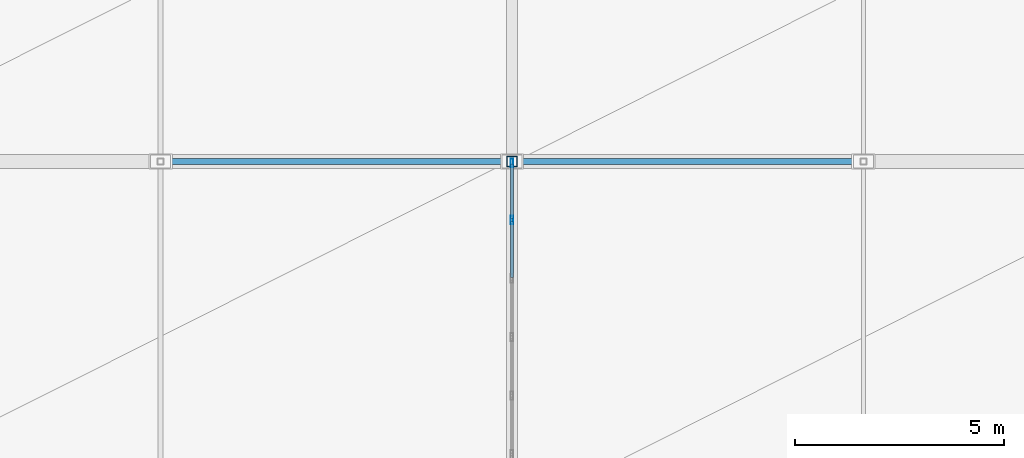
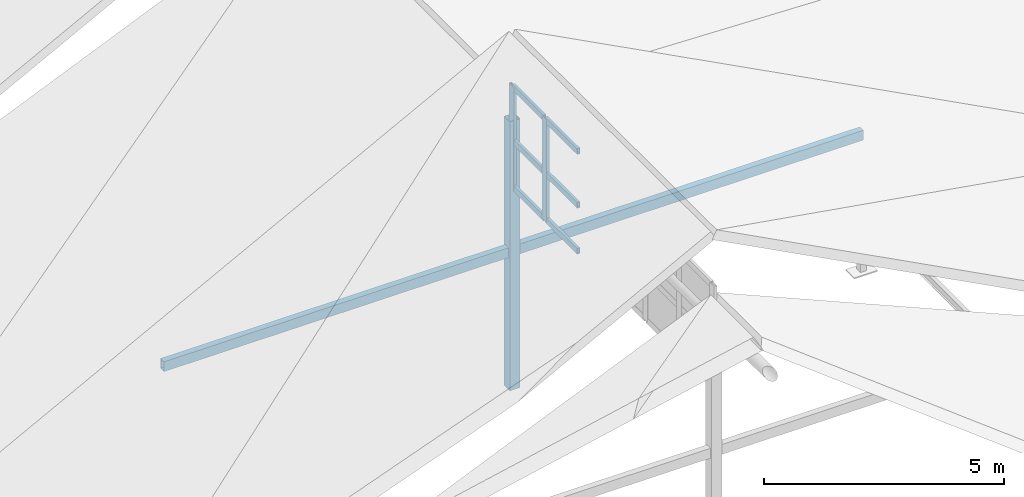
# One storey, part 27 of 76: 10 members, 1 element without a shape of its own.
"""IFC4 building model written with IfcOpenShell, lengths in metres."""

from ifc_helpers import new_model, si_unit, direction, frame, origin, origin_2d, place, context, subcontext, project, spatial, hollow_rectangle, extrude, material, layer, layer_set, material_profile, profile_set, type_object, element, aggregate, save


model = new_model("IFC4")

# Units and contexts
model_context = context("Model", 3, precision=1e-05, world=origin(), true_north=direction((0.0, 1.0)))
body_context = subcontext(model_context, "Body", "Model", "MODEL_VIEW")
ifc_project = project(units=[si_unit("LENGTHUNIT", "METRE"), si_unit("AREAUNIT", "SQUARE_METRE"), si_unit("VOLUMEUNIT", "CUBIC_METRE"), si_unit("PLANEANGLEUNIT", "RADIAN"), si_unit("MASSUNIT", "GRAM", prefix="KILO")], contexts=[model_context])

# Site, building, storey
site_placement = place(None, origin())
site = spatial("IfcSite", under=ifc_project, at=site_placement, CompositionType="ELEMENT")
building_placement = place(site_placement, origin())
building = spatial("IfcBuilding", under=site, at=building_placement, Name="Krzemoval Escarpment Law Courts", CompositionType="ELEMENT")
storey_placement = place(building_placement, frame((0.0, 0.0, 20.39990234375)))
storey = spatial("IfcBuildingStorey", under=building, at=storey_placement, Name="L04", CompositionType="ELEMENT", Elevation=20.39990234375)

# Curtain wall, members
ifc_material_1 = material(Name="Aluminium 6063-T6", Category="aluminium")
ifc_layer = layer(ifc_material_1, 0.199951171875)
ifc_layer_set = layer_set([ifc_layer], Name="Aluminium 6063-T6")
curtain_wall_type = type_object("IfcCurtainWallType", Name="CW-CLER-2800", PredefinedType="USERDEFINED", material=ifc_layer_set)
curtain_wall_placement = place(storey_placement, origin())
curtain_wall = element("IfcCurtainWall", 1, at=curtain_wall_placement, inside=storey, type_object=curtain_wall_type, Name="Clerestory Curtain Wall CW-CLER-V4-02", ObjectType="UNITISED_CURTAIN_WALL", PredefinedType="USERDEFINED")
ifc_material_2 = material(Name="Aluminium 6063-T6", Category="aluminium")
ifc_material_profile_1 = material_profile(ifc_material_2, hollow_rectangle(XDim=0.06494140625, YDim=0.199951171875, WallThickness=0.00439453125, at=origin_2d()), Name="ALU M65x200")
ifc_profile_set_1 = profile_set([ifc_material_profile_1], Name="Aluminium 6063-T6")
member_type_1 = type_object("IfcMemberType", Name="CWM-65x200", PredefinedType="MULLION", material=ifc_profile_set_1)
member_1_placement = place(storey_placement, frame((25.199951171875, 64.60009765625, 4.800048828125), z_axis=(0.0, 0.0, 1.0), x_axis=(-1.0, 0.0, 0.0)))
member_1 = element("IfcMember", 2, at=member_1_placement, type_object=member_type_1, Name="CW-CLER-V4-02 mullion 6", PredefinedType="MULLION", context=body_context, shape_type="SweptSolid", body=[
    extrude(hollow_rectangle(XDim=0.06494140625, YDim=0.199951171875, WallThickness=0.00439453125, at=origin_2d()), origin(), (0.0, 0.0, 1.0), 2.60009765625),
])
member_2_placement = place(storey_placement, frame((25.199951171875, 65.967529296875, 4.800048828125), z_axis=(0.0, 0.0, 1.0), x_axis=(-1.0, 0.0, 0.0)))
member_2 = element("IfcMember", 3, at=member_2_placement, type_object=member_type_1, Name="CW-CLER-V4-02 mullion 7", PredefinedType="MULLION", context=body_context, shape_type="SweptSolid", body=[
    extrude(hollow_rectangle(XDim=0.06494140625, YDim=0.199951171875, WallThickness=0.00439453125, at=origin_2d()), origin(), (0.0, 0.0, 1.0), 2.60009765625),
])
ifc_material_3 = material(Name="Aluminium 6063-T6", Category="aluminium")
ifc_material_profile_2 = material_profile(ifc_material_3, hollow_rectangle(XDim=0.06494140625, YDim=0.14990234375, WallThickness=0.00439453125, at=origin_2d()), Name="ALU T65x150")
ifc_profile_set_2 = profile_set([ifc_material_profile_2], Name="Aluminium 6063-T6")
member_type_2 = type_object("IfcMemberType", Name="CWT-65x150", PredefinedType="USERDEFINED", material=ifc_profile_set_2)
member_3_placement = place(storey_placement, frame((25.199951171875, 63.232421875, 4.83251953125), z_axis=(0.0, 1.0, 0.0), x_axis=(-1.0, 0.0, 0.0)))
member_3 = element("IfcMember", 4, at=member_3_placement, type_object=member_type_2, Name="CW-CLER-V4-02 transom 5.1", ObjectType="TRANSOM", PredefinedType="USERDEFINED", context=body_context, shape_type="SweptSolid", body=[
    extrude(hollow_rectangle(XDim=0.06494140625, YDim=0.14990234375, WallThickness=0.00439453125, at=origin_2d()), origin(), (0.0, 0.0, 1.0), 1.3349609375),
])
member_4_placement = place(storey_placement, frame((25.199951171875, 63.232421875, 6.0), z_axis=(0.0, 1.0, 0.0), x_axis=(-1.0, 0.0, 0.0)))
member_4 = element("IfcMember", 5, at=member_4_placement, type_object=member_type_2, Name="CW-CLER-V4-02 transom 5.2", ObjectType="TRANSOM", PredefinedType="USERDEFINED", context=body_context, shape_type="SweptSolid", body=[
    extrude(hollow_rectangle(XDim=0.06494140625, YDim=0.14990234375, WallThickness=0.00439453125, at=origin_2d()), origin(), (0.0, 0.0, 1.0), 1.3349609375),
])
member_5_placement = place(storey_placement, frame((25.199951171875, 63.232421875, 7.36767578125), z_axis=(0.0, 1.0, 0.0), x_axis=(-1.0, 0.0, 0.0)))
member_5 = element("IfcMember", 6, at=member_5_placement, type_object=member_type_2, Name="CW-CLER-V4-02 transom 5.3", ObjectType="TRANSOM", PredefinedType="USERDEFINED", context=body_context, shape_type="SweptSolid", body=[
    extrude(hollow_rectangle(XDim=0.06494140625, YDim=0.14990234375, WallThickness=0.00439453125, at=origin_2d()), origin(), (0.0, 0.0, 1.0), 1.3349609375),
])
member_6_placement = place(storey_placement, frame((25.199951171875, 64.632568359375, 4.83251953125), z_axis=(0.0, 1.0, 0.0), x_axis=(-1.0, 0.0, 0.0)))
member_6 = element("IfcMember", 7, at=member_6_placement, type_object=member_type_2, Name="CW-CLER-V4-02 transom 6.1", ObjectType="TRANSOM", PredefinedType="USERDEFINED", context=body_context, shape_type="SweptSolid", body=[
    extrude(hollow_rectangle(XDim=0.06494140625, YDim=0.14990234375, WallThickness=0.00439453125, at=origin_2d()), origin(), (0.0, 0.0, 1.0), 1.302490234375),
])
member_7_placement = place(storey_placement, frame((25.199951171875, 64.632568359375, 6.0), z_axis=(0.0, 1.0, 0.0), x_axis=(-1.0, 0.0, 0.0)))
member_7 = element("IfcMember", 8, at=member_7_placement, type_object=member_type_2, Name="CW-CLER-V4-02 transom 6.2", ObjectType="TRANSOM", PredefinedType="USERDEFINED", context=body_context, shape_type="SweptSolid", body=[
    extrude(hollow_rectangle(XDim=0.06494140625, YDim=0.14990234375, WallThickness=0.00439453125, at=origin_2d()), origin(), (0.0, 0.0, 1.0), 1.302490234375),
])
member_8_placement = place(storey_placement, frame((25.199951171875, 64.632568359375, 7.36767578125), z_axis=(0.0, 1.0, 0.0), x_axis=(-1.0, 0.0, 0.0)))
member_8 = element("IfcMember", 9, at=member_8_placement, type_object=member_type_2, Name="CW-CLER-V4-02 transom 6.3", ObjectType="TRANSOM", PredefinedType="USERDEFINED", context=body_context, shape_type="SweptSolid", body=[
    extrude(hollow_rectangle(XDim=0.06494140625, YDim=0.14990234375, WallThickness=0.00439453125, at=origin_2d()), origin(), (0.0, 0.0, 1.0), 1.302490234375),
])
aggregate(curtain_wall, [member_1, member_2, member_3, member_4, member_5, member_6, member_7, member_8])

# Members
ifc_material_4 = material(Name="Steel S355", Category="steel")
ifc_material_profile_3 = material_profile(ifc_material_4, hollow_rectangle(XDim=0.14990234375, YDim=0.25, WallThickness=0.010009765625, at=origin_2d()), Name="RHS 250x150x10")
ifc_profile_set_3 = profile_set([ifc_material_profile_3], Name="Steel S355")
member_type_3 = type_object("IfcMemberType", Name="MBR-COL-RHS250", PredefinedType="COLLAR", material=ifc_profile_set_3)
member_9_placement = place(storey_placement, frame((16.800048828125, 66.0, 3.2001953125), z_axis=(1.0, 0.0, 0.0), x_axis=(0.0, 1.0, 0.0)))
element("IfcMember", 10, at=member_9_placement, inside=storey, type_object=member_type_3, Name="Roof Collar Tie CL-0030", PredefinedType="COLLAR", context=body_context, shape_type="SweptSolid", body=[
    extrude(hollow_rectangle(XDim=0.14990234375, YDim=0.25, WallThickness=0.010009765625, at=origin_2d()), origin(), (0.0, 0.0, 1.0), 16.800048828125),
])
ifc_material_5 = material(Name="Steel S355", Category="steel")
ifc_material_profile_4 = material_profile(ifc_material_5, hollow_rectangle(XDim=0.25, YDim=0.25, WallThickness=0.012451171875, at=origin_2d()), Name="SHS 250x250x12.5")
ifc_profile_set_4 = profile_set([ifc_material_profile_4], Name="Steel S355")
member_type_4 = type_object("IfcMemberType", Name="MBR-STR-SHS250", PredefinedType="STRUT", material=ifc_profile_set_4)
member_10_placement = place(storey_placement, frame((25.199951171875, 66.0, -0.27978515625), z_axis=(0.0, 0.0, 1.0), x_axis=(1.0, 0.0, 0.0)))
element("IfcMember", 11, at=member_10_placement, inside=storey, type_object=member_type_4, Name="Roof Truss King Strut ST-0025", PredefinedType="STRUT", context=body_context, shape_type="SweptSolid", body=[
    extrude(hollow_rectangle(XDim=0.25, YDim=0.25, WallThickness=0.012451171875, at=origin_2d()), origin(), (0.0, 0.0, 1.0), 6.829833984375),
])

save(model, "model.ifc")
